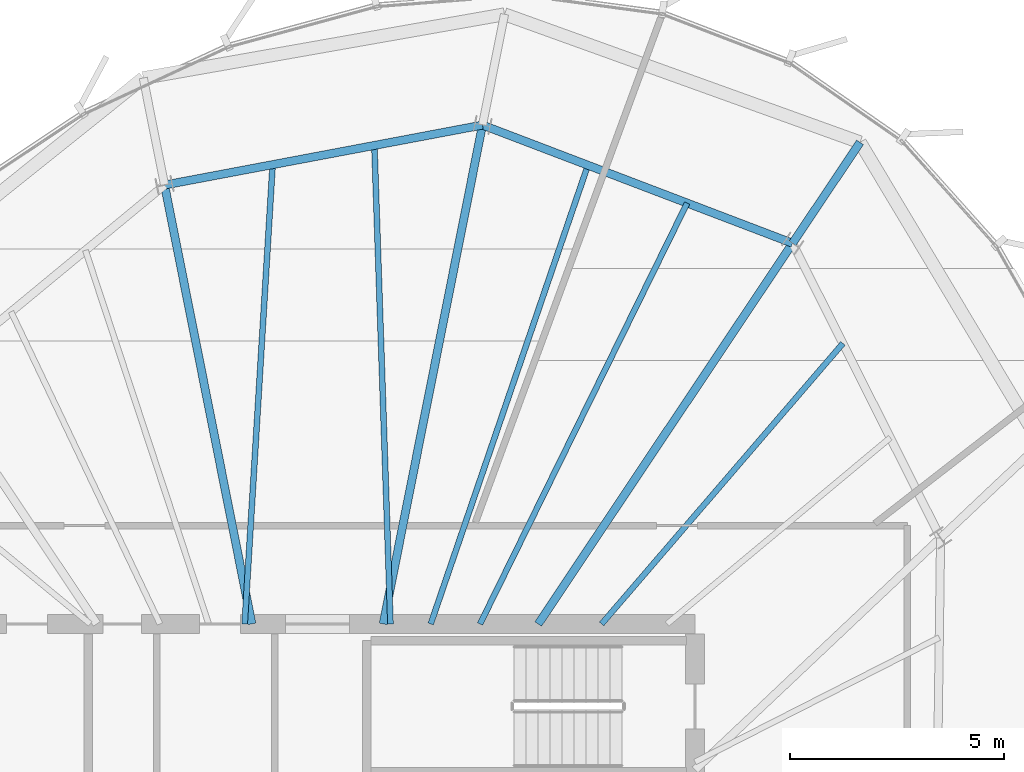
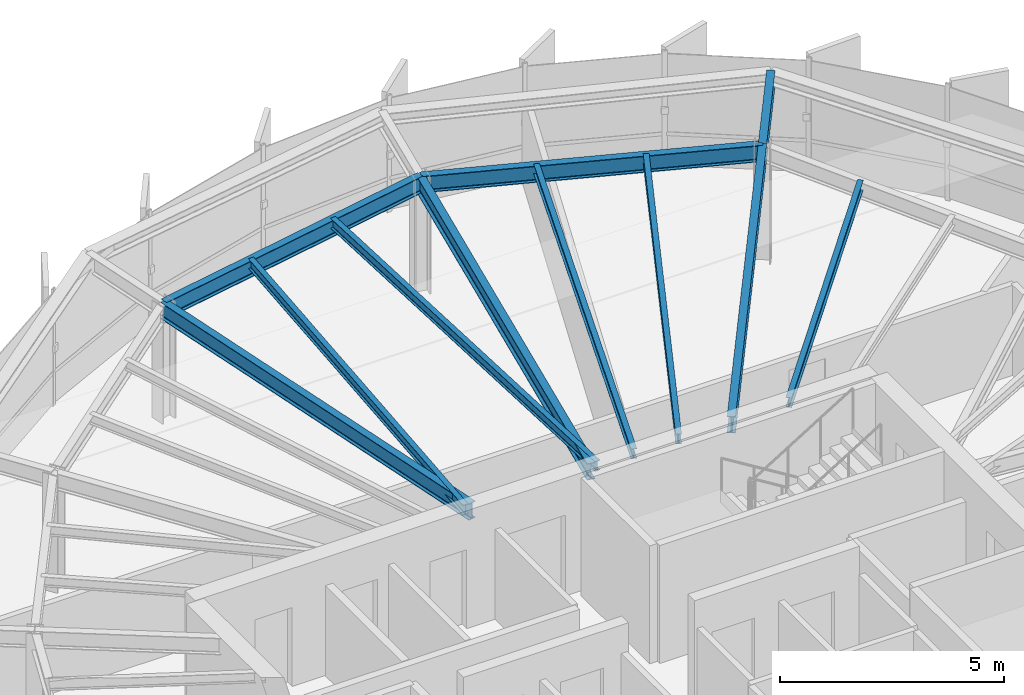
# One storey, part 20 of 31: 11 beams.
"""IFC4 building model written with IfcOpenShell, lengths in metres."""

from ifc_helpers import new_model, si_unit, direction, frame, origin, origin_2d, place, context, subcontext, project, spatial, i_section, extrude, source, transform, mapped, material, material_profile, profile_set, type_object, element, save


model = new_model("IFC4")

# Units and contexts
model_context = context("Model", 3, precision=1e-05, world=origin(), true_north=direction((0.0, 1.0)))
body_context = subcontext(model_context, "Body", "Model", "MODEL_VIEW")
ifc_project = project(units=[si_unit("LENGTHUNIT", "METRE"), si_unit("AREAUNIT", "SQUARE_METRE"), si_unit("VOLUMEUNIT", "CUBIC_METRE"), si_unit("PLANEANGLEUNIT", "RADIAN"), si_unit("MASSUNIT", "GRAM", prefix="KILO"), si_unit("THERMODYNAMICTEMPERATUREUNIT", "KELVIN")], contexts=[model_context])

# Site, building, storey
site_placement = place(None, origin())
site = spatial("IfcSite", under=ifc_project, at=site_placement, CompositionType="ELEMENT")
building_placement = place(site_placement, origin())
building = spatial("IfcBuilding", under=site, at=building_placement, Name="Kethvar Cultural Tower", CompositionType="ELEMENT")
storey_placement = place(building_placement, frame((0.0, 0.0, 283.60009765625)))
storey = spatial("IfcBuildingStorey", under=building, at=storey_placement, Name="L75", CompositionType="ELEMENT", Elevation=283.60009765625)

# Beams
ifc_material = material(Name="Steel S355J2", Category="steel")
ifc_material_profile_1 = material_profile(ifc_material, i_section(OverallWidth=0.18994140625, OverallDepth=0.449951171875, WebThickness=0.009521484375, FlangeThickness=0.0146484375, FilletRadius=0.02099609375, at=origin_2d()), Name="Steel S355J2 — IPE450")
ifc_profile_set_1 = profile_set([ifc_material_profile_1], Name="Steel S355J2 — IPE450")
beam_type_1 = type_object("IfcBeamType", Name="BM-IPE450", PredefinedType="BEAM", material=ifc_profile_set_1)
shared_shape_1 = source(origin(), body_context, "Body", "SweptSolid", [
    extrude(i_section(OverallWidth=0.18994140625, OverallDepth=0.449951171875, WebThickness=0.009521484375, FlangeThickness=0.0146484375, FilletRadius=0.02099609375, at=origin_2d()), origin(), (0.0, 0.0, 1.0), 10.673828125),
])
beam_1_placement = place(storey_placement, frame((51.945068359375, 35.5, 2.98291015625), z_axis=(0.555576086183, 0.831465701314, 0.0), x_axis=(-0.831465701314, 0.555576086183, 0.0)))
element("IfcBeam", 1, at=beam_1_placement, inside=storey, type_object=beam_type_1, Name="L75 Primary Radial Beam RB-03", PredefinedType="BEAM", context=body_context, shape_type="MappedRepresentation", body=[
    mapped(shared_shape_1, transform((0.0, 0.0, 0.0), scale=1.0)),
])
shared_shape_2 = source(origin(), body_context, "Body", "SweptSolid", [
    extrude(i_section(OverallWidth=0.18994140625, OverallDepth=0.449951171875, WebThickness=0.009521484375, FlangeThickness=0.0146484375, FilletRadius=0.02099609375, at=origin_2d()), origin(), (0.0, 0.0, 1.0), 11.859375),
])
beam_2_placement = place(storey_placement, frame((48.33154296875, 35.5, 2.98291015625), z_axis=(0.195094640585, 0.980784421377, 0.0), x_axis=(-0.980784421377, 0.195094640585, 0.0)))
element("IfcBeam", 2, at=beam_2_placement, inside=storey, type_object=beam_type_1, Name="L75 Primary Radial Beam RB-04", PredefinedType="BEAM", context=body_context, shape_type="MappedRepresentation", body=[
    mapped(shared_shape_2, transform((0.0, 0.0, 0.0), scale=1.0)),
])
shared_shape_3 = source(origin(), body_context, "Body", "SweptSolid", [
    extrude(i_section(OverallWidth=0.18994140625, OverallDepth=0.449951171875, WebThickness=0.009521484375, FlangeThickness=0.0146484375, FilletRadius=0.02099609375, at=origin_2d()), origin(), (0.0, 0.0, 1.0), 10.432861328125),
])
beam_3_placement = place(storey_placement, frame((45.268310546875, 35.5, 2.98291015625), z_axis=(-0.195094483249, 0.980784452673, 0.0), x_axis=(-0.980784452673, -0.195094483249, 0.0)))
element("IfcBeam", 3, at=beam_3_placement, inside=storey, type_object=beam_type_1, Name="L75 Primary Radial Beam RB-05", PredefinedType="BEAM", context=body_context, shape_type="MappedRepresentation", body=[
    mapped(shared_shape_3, transform((0.0, 0.0, 0.0), scale=1.0)),
])
ifc_material_profile_2 = material_profile(ifc_material, i_section(OverallWidth=0.135009765625, OverallDepth=0.27001953125, WebThickness=0.006591796875, FlangeThickness=0.01025390625, FilletRadius=0.014892578125, at=origin_2d()), Name="Steel S355J2 — IPE270")
ifc_profile_set_2 = profile_set([ifc_material_profile_2], Name="Steel S355J2 — IPE270")
beam_type_2 = type_object("IfcBeamType", Name="BM-J270", PredefinedType="JOIST", material=ifc_profile_set_2)
shared_shape_4 = source(origin(), body_context, "Body", "SweptSolid", [
    extrude(i_section(OverallWidth=0.135009765625, OverallDepth=0.27001953125, WebThickness=0.006591796875, FlangeThickness=0.01025390625, FilletRadius=0.014892578125, at=origin_2d()), origin(), (0.0, 0.0, 1.0), 8.6259765625),
])
beam_4_placement = place(storey_placement, frame((53.42333984375, 35.5, 3.072998046875), z_axis=(0.65210499689, 0.758128665222, 0.0), x_axis=(-0.758128665222, 0.65210499689, 0.0)))
element("IfcBeam", 4, at=beam_4_placement, inside=storey, type_object=beam_type_2, Name="L75 Composite Floor Joist J-02B", PredefinedType="JOIST", context=body_context, shape_type="MappedRepresentation", body=[
    mapped(shared_shape_4, transform((0.0, 0.0, 0.0), scale=1.0)),
])
shared_shape_5 = source(origin(), body_context, "Body", "SweptSolid", [
    extrude(i_section(OverallWidth=0.18994140625, OverallDepth=0.449951171875, WebThickness=0.009521484375, FlangeThickness=0.0146484375, FilletRadius=0.02099609375, at=origin_2d()), origin(), (0.0, 0.0, 1.0), 7.737548828125),
])
beam_5_placement = place(storey_placement, frame((57.875244140625, 44.375, 2.98291015625), z_axis=(-0.934388230776, 0.356256416347, 0.0), x_axis=(-0.356256416347, -0.934388230776, 0.0)))
element("IfcBeam", 5, at=beam_5_placement, inside=storey, type_object=beam_type_1, Name="L75 Column Ring Tie Beam CR-03", PredefinedType="BEAM", context=body_context, shape_type="MappedRepresentation", body=[
    mapped(shared_shape_5, transform((0.0, 0.0, 0.0), scale=1.0)),
])
shared_shape_6 = source(origin(), body_context, "Body", "SweptSolid", [
    extrude(i_section(OverallWidth=0.135009765625, OverallDepth=0.27001953125, WebThickness=0.006591796875, FlangeThickness=0.01025390625, FilletRadius=0.014892578125, at=origin_2d()), origin(), (0.0, 0.0, 1.0), 10.935791015625),
])
beam_6_placement = place(storey_placement, frame((50.5888671875, 35.5, 3.072998046875), z_axis=(0.441498236677, 0.897262117227, 0.0), x_axis=(-0.897262117227, 0.441498236677, 0.0)))
element("IfcBeam", 6, at=beam_6_placement, inside=storey, type_object=beam_type_2, Name="L75 Composite Floor Joist J-03A", PredefinedType="JOIST", context=body_context, shape_type="MappedRepresentation", body=[
    mapped(shared_shape_6, transform((0.0, 0.0, 0.0), scale=1.0)),
])
shared_shape_7 = source(origin(), body_context, "Body", "SweptSolid", [
    extrude(i_section(OverallWidth=0.135009765625, OverallDepth=0.27001953125, WebThickness=0.006591796875, FlangeThickness=0.01025390625, FilletRadius=0.014892578125, at=origin_2d()), origin(), (0.0, 0.0, 1.0), 11.304931640625),
])
beam_7_placement = place(storey_placement, frame((49.438720703125, 35.5, 3.072998046875), z_axis=(0.324179110764, 0.945995720997, 0.0), x_axis=(-0.945995720997, 0.324179110764, 0.0)))
element("IfcBeam", 7, at=beam_7_placement, inside=storey, type_object=beam_type_2, Name="L75 Composite Floor Joist J-03B", PredefinedType="JOIST", context=body_context, shape_type="MappedRepresentation", body=[
    mapped(shared_shape_7, transform((0.0, 0.0, 0.0), scale=1.0)),
])
shared_shape_8 = source(origin(), body_context, "Body", "SweptSolid", [
    extrude(i_section(OverallWidth=0.18994140625, OverallDepth=0.449951171875, WebThickness=0.009521484375, FlangeThickness=0.0146484375, FilletRadius=0.02099609375, at=origin_2d()), origin(), (0.0, 0.0, 1.0), 7.543212890625),
])
beam_8_placement = place(storey_placement, frame((50.645263671875, 47.131591796875, 2.98291015625), z_axis=(-0.982646853086, -0.185486285532, 0.0), x_axis=(0.185486285532, -0.982646853086, 0.0)))
element("IfcBeam", 8, at=beam_8_placement, inside=storey, type_object=beam_type_1, Name="L75 Column Ring Tie Beam CR-04", PredefinedType="BEAM", context=body_context, shape_type="MappedRepresentation", body=[
    mapped(shared_shape_8, transform((0.0, 0.0, 0.0), scale=1.0)),
])
shared_shape_9 = source(origin(), body_context, "Body", "SweptSolid", [
    extrude(i_section(OverallWidth=0.135009765625, OverallDepth=0.27001953125, WebThickness=0.006591796875, FlangeThickness=0.01025390625, FilletRadius=0.014892578125, at=origin_2d()), origin(), (0.0, 0.0, 1.0), 11.162109375),
])
beam_9_placement = place(storey_placement, frame((48.5, 35.5, 3.072998046875), z_axis=(-0.0335959409, 0.999435497046, 0.0), x_axis=(-0.999435497046, -0.0335959409, 0.0)))
element("IfcBeam", 9, at=beam_9_placement, inside=storey, type_object=beam_type_2, Name="L75 Composite Floor Joist J-04A", PredefinedType="JOIST", context=body_context, shape_type="MappedRepresentation", body=[
    mapped(shared_shape_9, transform((0.0, 0.0, 0.0), scale=1.0)),
])
shared_shape_10 = source(origin(), body_context, "Body", "SweptSolid", [
    extrude(i_section(OverallWidth=0.135009765625, OverallDepth=0.27001953125, WebThickness=0.006591796875, FlangeThickness=0.01025390625, FilletRadius=0.014892578125, at=origin_2d()), origin(), (0.0, 0.0, 1.0), 10.727783203125),
])
beam_10_placement = place(storey_placement, frame((45.10009765625, 35.5, 3.072998046875), z_axis=(0.060876395586, 0.998145312297, 0.0), x_axis=(-0.998145312297, 0.060876395586, 0.0)))
element("IfcBeam", 10, at=beam_10_placement, inside=storey, type_object=beam_type_2, Name="L75 Composite Floor Joist J-04B", PredefinedType="JOIST", context=body_context, shape_type="MappedRepresentation", body=[
    mapped(shared_shape_10, transform((0.0, 0.0, 0.0), scale=1.0)),
])
shared_shape_11 = source(origin(), body_context, "Body", "SweptSolid", [
    extrude(i_section(OverallWidth=0.18994140625, OverallDepth=0.449951171875, WebThickness=0.009521484375, FlangeThickness=0.0146484375, FilletRadius=0.02099609375, at=origin_2d()), origin(), (0.0, 0.0, 1.0), 2.8310546875),
])
beam_11_placement = place(storey_placement, frame((57.875244140625, 44.375, 2.98291015625), z_axis=(0.555535747364, 0.831492653847, 0.0), x_axis=(-0.831492653847, 0.555535747364, 0.0)))
element("IfcBeam", 11, at=beam_11_placement, inside=storey, type_object=beam_type_1, Name="L75 Perimeter Cantilever Beam RC-03", PredefinedType="BEAM", context=body_context, shape_type="MappedRepresentation", body=[
    mapped(shared_shape_11, transform((0.0, 0.0, 0.0), scale=1.0)),
])

save(model, "model.ifc")
